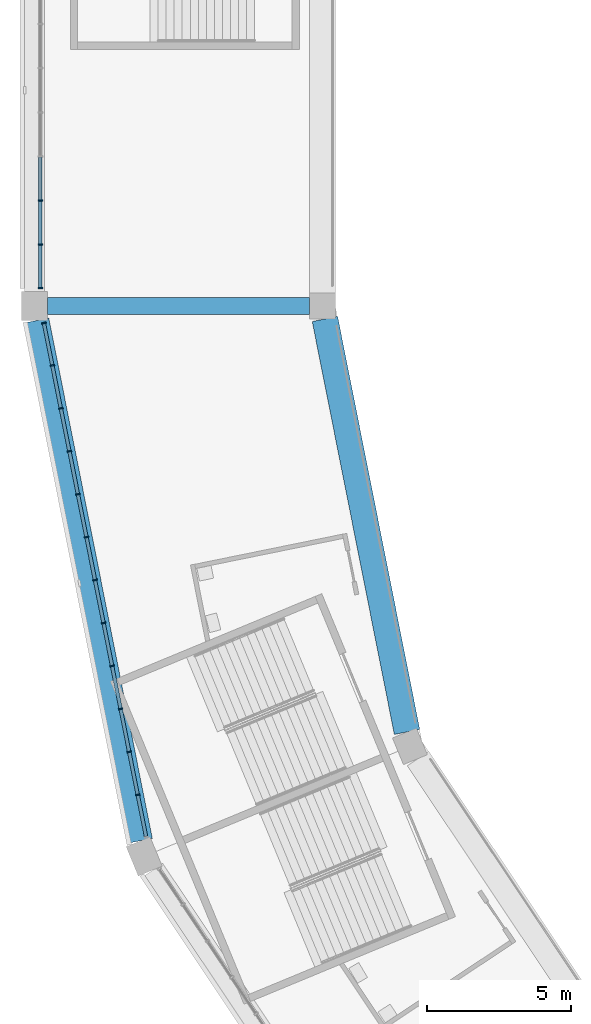
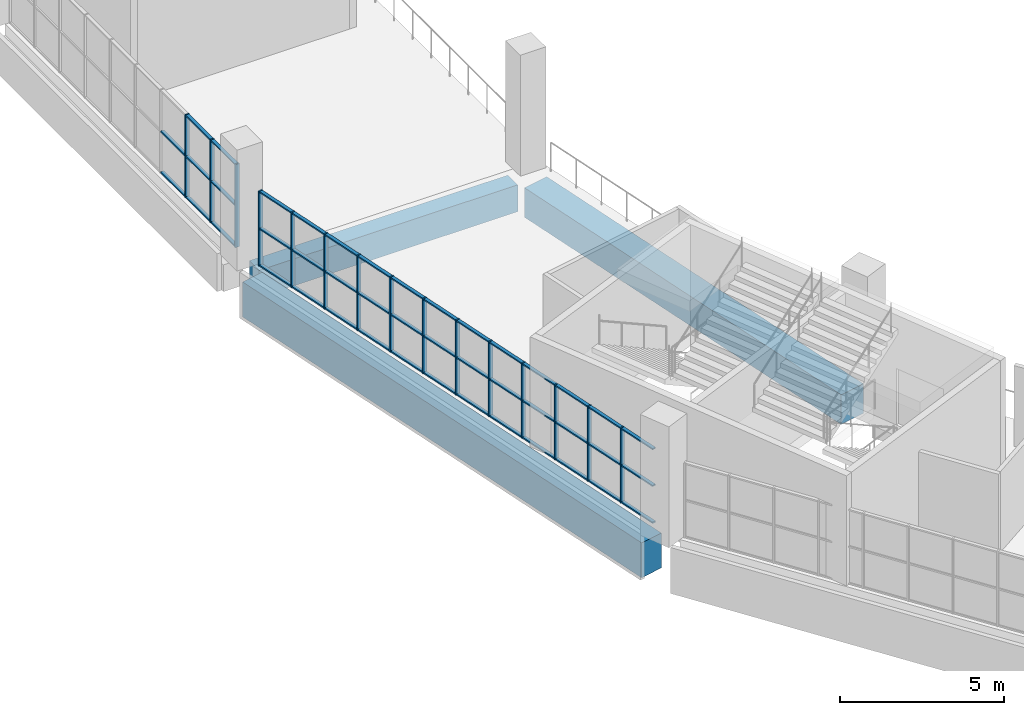
# One storey, part 7 of 177: 59 members, 3 beams, 2 elements without a shape of their own.
"""IFC4 building model written with IfcOpenShell, lengths in metres."""

from ifc_helpers import new_model, si_unit, direction, frame, origin, origin_2d, place, context, subcontext, project, spatial, rectangle, extrude, material, material_profile, profile_set, type_object, element, aggregate, save


model = new_model("IFC4")

# Units and contexts
model_context = context("Model", 3, precision=1e-05, world=origin(), true_north=direction((0.0, 1.0)))
body_context = subcontext(model_context, "Body", "Model", "MODEL_VIEW")
ifc_project = project(units=[si_unit("LENGTHUNIT", "METRE"), si_unit("AREAUNIT", "SQUARE_METRE"), si_unit("VOLUMEUNIT", "CUBIC_METRE"), si_unit("PLANEANGLEUNIT", "RADIAN"), si_unit("MASSUNIT", "GRAM", prefix="KILO")], contexts=[model_context])

# Site, building, storey
site_placement = place(None, origin())
site = spatial("IfcSite", under=ifc_project, at=site_placement, CompositionType="ELEMENT")
building_placement = place(site_placement, origin())
building = spatial("IfcBuilding", under=site, at=building_placement, Name="Ogive Plaza Stadium", CompositionType="ELEMENT")
storey_placement = place(building_placement, frame((0.0, 0.0, 18.0)))
storey = spatial("IfcBuildingStorey", under=building, at=storey_placement, Name="L04", CompositionType="ELEMENT", Elevation=18.0)

# Curtain wall, members
ifc_material_1 = material(Name="Bronze-anodised aluminium with laminated glass", Category="aluminium")
curtain_wall_type = type_object("IfcCurtainWallType", Name="Lancet curtain wall", PredefinedType="NOTDEFINED", material=ifc_material_1)
curtain_wall_1_placement = place(storey_placement, origin())
curtain_wall_1 = element("IfcCurtainWall", 1, at=curtain_wall_1_placement, inside=storey, type_object=curtain_wall_type, Name="CURTAIN WALL B20 L04", PredefinedType="NOTDEFINED")
ifc_material_2 = material(Name="Bronze-anodised aluminium", Category="aluminium")
ifc_material_profile_1 = material_profile(ifc_material_2, rectangle(XDim=0.14990234375, YDim=0.050048828125, at=origin_2d()), Name="AL 150x50")
ifc_profile_set_1 = profile_set([ifc_material_profile_1], Name="Bronze-anodised aluminium")
member_type_1 = type_object("IfcMemberType", Name="Curtain wall mullion 50x150", PredefinedType="MULLION", material=ifc_profile_set_1)
member_1_placement = place(storey_placement, frame((-80.415771484375, -69.49365234375, 0.0), z_axis=(0.0, 0.0, 1.0), x_axis=(-0.9807852804, -0.195090322033, 0.0)))
member_1 = element("IfcMember", 2, at=member_1_placement, type_object=member_type_1, Name="CW-B20-L04 mullion 2", PredefinedType="MULLION", context=body_context, shape_type="SweptSolid", body=[
    extrude(rectangle(XDim=0.14990234375, YDim=0.050048828125, at=origin_2d()), origin(), (0.0, 0.0, 1.0), 2.7900390625),
])
member_2_placement = place(storey_placement, frame((-80.712890625, -68.00048828125, 0.0), z_axis=(0.0, 0.0, 1.0), x_axis=(-0.9807852804, -0.195090322033, 0.0)))
member_2 = element("IfcMember", 3, at=member_2_placement, type_object=member_type_1, Name="CW-B20-L04 mullion 3", PredefinedType="MULLION", context=body_context, shape_type="SweptSolid", body=[
    extrude(rectangle(XDim=0.14990234375, YDim=0.050048828125, at=origin_2d()), origin(), (0.0, 0.0, 1.0), 2.7900390625),
])
member_3_placement = place(storey_placement, frame((-81.009765625, -66.50732421875, 0.0), z_axis=(0.0, 0.0, 1.0), x_axis=(-0.9807852804, -0.195090322033, 0.0)))
member_3 = element("IfcMember", 4, at=member_3_placement, type_object=member_type_1, Name="CW-B20-L04 mullion 4", PredefinedType="MULLION", context=body_context, shape_type="SweptSolid", body=[
    extrude(rectangle(XDim=0.14990234375, YDim=0.050048828125, at=origin_2d()), origin(), (0.0, 0.0, 1.0), 2.7900390625),
])
member_4_placement = place(storey_placement, frame((-81.306884765625, -65.01416015625, 0.0), z_axis=(0.0, 0.0, 1.0), x_axis=(-0.9807852804, -0.195090322033, 0.0)))
member_4 = element("IfcMember", 5, at=member_4_placement, type_object=member_type_1, Name="CW-B20-L04 mullion 5", PredefinedType="MULLION", context=body_context, shape_type="SweptSolid", body=[
    extrude(rectangle(XDim=0.14990234375, YDim=0.050048828125, at=origin_2d()), origin(), (0.0, 0.0, 1.0), 2.7900390625),
])
member_5_placement = place(storey_placement, frame((-81.603759765625, -63.521240234375, 0.0), z_axis=(0.0, 0.0, 1.0), x_axis=(-0.9807852804, -0.195090322033, 0.0)))
member_5 = element("IfcMember", 6, at=member_5_placement, type_object=member_type_1, Name="CW-B20-L04 mullion 6", PredefinedType="MULLION", context=body_context, shape_type="SweptSolid", body=[
    extrude(rectangle(XDim=0.14990234375, YDim=0.050048828125, at=origin_2d()), origin(), (0.0, 0.0, 1.0), 2.7900390625),
])
member_6_placement = place(storey_placement, frame((-81.90087890625, -62.028076171875, 0.0), z_axis=(0.0, 0.0, 1.0), x_axis=(-0.9807852804, -0.195090322033, 0.0)))
member_6 = element("IfcMember", 7, at=member_6_placement, type_object=member_type_1, Name="CW-B20-L04 mullion 7", PredefinedType="MULLION", context=body_context, shape_type="SweptSolid", body=[
    extrude(rectangle(XDim=0.14990234375, YDim=0.050048828125, at=origin_2d()), origin(), (0.0, 0.0, 1.0), 2.7900390625),
])
member_7_placement = place(storey_placement, frame((-82.19775390625, -60.534912109375, 0.0), z_axis=(0.0, 0.0, 1.0), x_axis=(-0.9807852804, -0.195090322033, 0.0)))
member_7 = element("IfcMember", 8, at=member_7_placement, type_object=member_type_1, Name="CW-B20-L04 mullion 8", PredefinedType="MULLION", context=body_context, shape_type="SweptSolid", body=[
    extrude(rectangle(XDim=0.14990234375, YDim=0.050048828125, at=origin_2d()), origin(), (0.0, 0.0, 1.0), 2.7900390625),
])
member_8_placement = place(storey_placement, frame((-82.494873046875, -59.0419921875, 0.0), z_axis=(0.0, 0.0, 1.0), x_axis=(-0.9807852804, -0.195090322033, 0.0)))
member_8 = element("IfcMember", 9, at=member_8_placement, type_object=member_type_1, Name="CW-B20-L04 mullion 9", PredefinedType="MULLION", context=body_context, shape_type="SweptSolid", body=[
    extrude(rectangle(XDim=0.14990234375, YDim=0.050048828125, at=origin_2d()), origin(), (0.0, 0.0, 1.0), 2.7900390625),
])
member_9_placement = place(storey_placement, frame((-82.791748046875, -57.548828125, 0.0), z_axis=(0.0, 0.0, 1.0), x_axis=(-0.9807852804, -0.195090322033, 0.0)))
member_9 = element("IfcMember", 10, at=member_9_placement, type_object=member_type_1, Name="CW-B20-L04 mullion 10", PredefinedType="MULLION", context=body_context, shape_type="SweptSolid", body=[
    extrude(rectangle(XDim=0.14990234375, YDim=0.050048828125, at=origin_2d()), origin(), (0.0, 0.0, 1.0), 2.7900390625),
])
member_10_placement = place(storey_placement, frame((-83.0888671875, -56.0556640625, 0.0), z_axis=(0.0, 0.0, 1.0), x_axis=(-0.9807852804, -0.195090322033, 0.0)))
member_10 = element("IfcMember", 11, at=member_10_placement, type_object=member_type_1, Name="CW-B20-L04 mullion 11", PredefinedType="MULLION", context=body_context, shape_type="SweptSolid", body=[
    extrude(rectangle(XDim=0.14990234375, YDim=0.050048828125, at=origin_2d()), origin(), (0.0, 0.0, 1.0), 2.7900390625),
])
member_11_placement = place(storey_placement, frame((-83.3857421875, -54.5625, 0.0), z_axis=(0.0, 0.0, 1.0), x_axis=(-0.9807852804, -0.195090322033, 0.0)))
member_11 = element("IfcMember", 12, at=member_11_placement, type_object=member_type_1, Name="CW-B20-L04 mullion 12", PredefinedType="MULLION", context=body_context, shape_type="SweptSolid", body=[
    extrude(rectangle(XDim=0.14990234375, YDim=0.050048828125, at=origin_2d()), origin(), (0.0, 0.0, 1.0), 2.7900390625),
])
member_12_placement = place(storey_placement, frame((-83.677978515625, -53.093994140625, 0.0), z_axis=(0.0, 0.0, 1.0), x_axis=(-0.9807852804, -0.195090322033, 0.0)))
member_12 = element("IfcMember", 13, at=member_12_placement, type_object=member_type_1, Name="CW-B20-L04 mullion 13", PredefinedType="MULLION", context=body_context, shape_type="SweptSolid", body=[
    extrude(rectangle(XDim=0.14990234375, YDim=0.050048828125, at=origin_2d()), origin(), (0.0, 0.0, 1.0), 2.7900390625),
])

curtain_wall_2_placement = place(storey_placement, origin())
curtain_wall_2 = element("IfcCurtainWall", 14, at=curtain_wall_2_placement, inside=storey, type_object=curtain_wall_type, Name="CURTAIN WALL B21 L04", PredefinedType="NOTDEFINED")
member_13_placement = place(storey_placement, frame((-83.800048828125, -51.875, 0.0), z_axis=(0.0, 0.0, 1.0), x_axis=(-1.0, 0.0, 0.0)))
member_13 = element("IfcMember", 15, at=member_13_placement, type_object=member_type_1, Name="CW-B21-L04 mullion 1", PredefinedType="MULLION", context=body_context, shape_type="SweptSolid", body=[
    extrude(rectangle(XDim=0.14990234375, YDim=0.050048828125, at=origin_2d()), origin(), (0.0, 0.0, 1.0), 3.090087890625),
])
member_14_placement = place(storey_placement, frame((-83.800048828125, -50.36669921875, 0.0), z_axis=(0.0, 0.0, 1.0), x_axis=(-1.0, 0.0, 0.0)))
member_14 = element("IfcMember", 16, at=member_14_placement, type_object=member_type_1, Name="CW-B21-L04 mullion 2", PredefinedType="MULLION", context=body_context, shape_type="SweptSolid", body=[
    extrude(rectangle(XDim=0.14990234375, YDim=0.050048828125, at=origin_2d()), origin(), (0.0, 0.0, 1.0), 3.090087890625),
])
member_15_placement = place(storey_placement, frame((-83.800048828125, -48.833251953125, 0.0), z_axis=(0.0, 0.0, 1.0), x_axis=(-1.0, 0.0, 0.0)))
member_15 = element("IfcMember", 17, at=member_15_placement, type_object=member_type_1, Name="CW-B21-L04 mullion 3", PredefinedType="MULLION", context=body_context, shape_type="SweptSolid", body=[
    extrude(rectangle(XDim=0.14990234375, YDim=0.050048828125, at=origin_2d()), origin(), (0.0, 0.0, 1.0), 3.090087890625),
])

# Member
ifc_material_3 = material(Name="Bronze-anodised aluminium", Category="aluminium")
ifc_material_profile_2 = material_profile(ifc_material_3, rectangle(XDim=0.1201171875, YDim=0.050048828125, at=origin_2d()), Name="AL 120x50")
ifc_profile_set_2 = profile_set([ifc_material_profile_2], Name="Bronze-anodised aluminium")
member_type_2 = type_object("IfcMemberType", Name="Curtain wall transom 50x120", PredefinedType="USERDEFINED", material=ifc_profile_set_2)
member_16_placement = place(storey_placement, frame((-80.128662109375, -70.9375, 0.02490234375), z_axis=(-0.195012996379, 0.98080065826, 0.0), x_axis=(-0.98080065826, -0.195012996379, 0.0)))
member_16 = element("IfcMember", 18, at=member_16_placement, type_object=member_type_2, Name="CW-B20-L04 transom 1.1", ObjectType="TRANSOM", PredefinedType="USERDEFINED", context=body_context, shape_type="SweptSolid", body=[
    extrude(rectangle(XDim=0.1201171875, YDim=0.050048828125, at=origin_2d()), origin(), (0.0, 0.0, 1.0), 1.447265625),
])

member_17_placement = place(storey_placement, frame((-80.128662109375, -70.9375, 1.39501953125), z_axis=(-0.195012996379, 0.98080065826, 0.0), x_axis=(-0.98080065826, -0.195012996379, 0.0)))
member_17 = element("IfcMember", 19, at=member_17_placement, type_object=member_type_2, Name="CW-B20-L04 transom 1.2", ObjectType="TRANSOM", PredefinedType="USERDEFINED", context=body_context, shape_type="SweptSolid", body=[
    extrude(rectangle(XDim=0.1201171875, YDim=0.050048828125, at=origin_2d()), origin(), (0.0, 0.0, 1.0), 1.447265625),
])

member_18_placement = place(storey_placement, frame((-80.128662109375, -70.9375, 2.764892578125), z_axis=(-0.195012996379, 0.98080065826, 0.0), x_axis=(-0.98080065826, -0.195012996379, 0.0)))
member_18 = element("IfcMember", 20, at=member_18_placement, type_object=member_type_2, Name="CW-B20-L04 transom 1.3", ObjectType="TRANSOM", PredefinedType="USERDEFINED", context=body_context, shape_type="SweptSolid", body=[
    extrude(rectangle(XDim=0.1201171875, YDim=0.050048828125, at=origin_2d()), origin(), (0.0, 0.0, 1.0), 1.447265625),
])

member_19_placement = place(storey_placement, frame((-80.420654296875, -69.468994140625, 0.02490234375), z_axis=(-0.195159440417, 0.980771529367, 0.0), x_axis=(-0.980771529367, -0.195159440417, 0.0)))
member_19 = element("IfcMember", 21, at=member_19_placement, type_object=member_type_2, Name="CW-B20-L04 transom 2.1", ObjectType="TRANSOM", PredefinedType="USERDEFINED", context=body_context, shape_type="SweptSolid", body=[
    extrude(rectangle(XDim=0.1201171875, YDim=0.050048828125, at=origin_2d()), origin(), (0.0, 0.0, 1.0), 1.472412109375),
])

member_20_placement = place(storey_placement, frame((-80.420654296875, -69.468994140625, 1.39501953125), z_axis=(-0.195159440417, 0.980771529367, 0.0), x_axis=(-0.980771529367, -0.195159440417, 0.0)))
member_20 = element("IfcMember", 22, at=member_20_placement, type_object=member_type_2, Name="CW-B20-L04 transom 2.2", ObjectType="TRANSOM", PredefinedType="USERDEFINED", context=body_context, shape_type="SweptSolid", body=[
    extrude(rectangle(XDim=0.1201171875, YDim=0.050048828125, at=origin_2d()), origin(), (0.0, 0.0, 1.0), 1.472412109375),
])

member_21_placement = place(storey_placement, frame((-80.420654296875, -69.468994140625, 2.764892578125), z_axis=(-0.195159440417, 0.980771529367, 0.0), x_axis=(-0.980771529367, -0.195159440417, 0.0)))
member_21 = element("IfcMember", 23, at=member_21_placement, type_object=member_type_2, Name="CW-B20-L04 transom 2.3", ObjectType="TRANSOM", PredefinedType="USERDEFINED", context=body_context, shape_type="SweptSolid", body=[
    extrude(rectangle(XDim=0.1201171875, YDim=0.050048828125, at=origin_2d()), origin(), (0.0, 0.0, 1.0), 1.472412109375),
])

member_22_placement = place(storey_placement, frame((-80.7177734375, -67.975830078125, 0.02490234375), z_axis=(-0.19503165555, 0.980796948065, 0.0), x_axis=(-0.980796948065, -0.19503165555, 0.0)))
member_22 = element("IfcMember", 24, at=member_22_placement, type_object=member_type_2, Name="CW-B20-L04 transom 3.1", ObjectType="TRANSOM", PredefinedType="USERDEFINED", context=body_context, shape_type="SweptSolid", body=[
    extrude(rectangle(XDim=0.1201171875, YDim=0.050048828125, at=origin_2d()), origin(), (0.0, 0.0, 1.0), 1.47216796875),
])

member_23_placement = place(storey_placement, frame((-80.7177734375, -67.975830078125, 1.39501953125), z_axis=(-0.19503165555, 0.980796948065, 0.0), x_axis=(-0.980796948065, -0.19503165555, 0.0)))
member_23 = element("IfcMember", 25, at=member_23_placement, type_object=member_type_2, Name="CW-B20-L04 transom 3.2", ObjectType="TRANSOM", PredefinedType="USERDEFINED", context=body_context, shape_type="SweptSolid", body=[
    extrude(rectangle(XDim=0.1201171875, YDim=0.050048828125, at=origin_2d()), origin(), (0.0, 0.0, 1.0), 1.47216796875),
])

member_24_placement = place(storey_placement, frame((-80.7177734375, -67.975830078125, 2.764892578125), z_axis=(-0.19503165555, 0.980796948065, 0.0), x_axis=(-0.980796948065, -0.19503165555, 0.0)))
member_24 = element("IfcMember", 26, at=member_24_placement, type_object=member_type_2, Name="CW-B20-L04 transom 3.3", ObjectType="TRANSOM", PredefinedType="USERDEFINED", context=body_context, shape_type="SweptSolid", body=[
    extrude(rectangle(XDim=0.1201171875, YDim=0.050048828125, at=origin_2d()), origin(), (0.0, 0.0, 1.0), 1.47216796875),
])

member_25_placement = place(storey_placement, frame((-81.0146484375, -66.48291015625, 0.02490234375), z_axis=(-0.195159440417, 0.980771529367, 0.0), x_axis=(-0.980771529367, -0.195159440417, 0.0)))
member_25 = element("IfcMember", 27, at=member_25_placement, type_object=member_type_2, Name="CW-B20-L04 transom 4.1", ObjectType="TRANSOM", PredefinedType="USERDEFINED", context=body_context, shape_type="SweptSolid", body=[
    extrude(rectangle(XDim=0.1201171875, YDim=0.050048828125, at=origin_2d()), origin(), (0.0, 0.0, 1.0), 1.472412109375),
])

member_26_placement = place(storey_placement, frame((-81.0146484375, -66.48291015625, 1.39501953125), z_axis=(-0.195159440417, 0.980771529367, 0.0), x_axis=(-0.980771529367, -0.195159440417, 0.0)))
member_26 = element("IfcMember", 28, at=member_26_placement, type_object=member_type_2, Name="CW-B20-L04 transom 4.2", ObjectType="TRANSOM", PredefinedType="USERDEFINED", context=body_context, shape_type="SweptSolid", body=[
    extrude(rectangle(XDim=0.1201171875, YDim=0.050048828125, at=origin_2d()), origin(), (0.0, 0.0, 1.0), 1.472412109375),
])

member_27_placement = place(storey_placement, frame((-81.0146484375, -66.48291015625, 2.764892578125), z_axis=(-0.195159440417, 0.980771529367, 0.0), x_axis=(-0.980771529367, -0.195159440417, 0.0)))
member_27 = element("IfcMember", 29, at=member_27_placement, type_object=member_type_2, Name="CW-B20-L04 transom 4.3", ObjectType="TRANSOM", PredefinedType="USERDEFINED", context=body_context, shape_type="SweptSolid", body=[
    extrude(rectangle(XDim=0.1201171875, YDim=0.050048828125, at=origin_2d()), origin(), (0.0, 0.0, 1.0), 1.472412109375),
])

member_28_placement = place(storey_placement, frame((-81.311767578125, -64.98974609375, 0.02490234375), z_axis=(-0.194999937042, 0.980803254763, 0.0), x_axis=(-0.980803254763, -0.194999937042, 0.0)))
member_28 = element("IfcMember", 30, at=member_28_placement, type_object=member_type_2, Name="CW-B20-L04 transom 5.1", ObjectType="TRANSOM", PredefinedType="USERDEFINED", context=body_context, shape_type="SweptSolid", body=[
    extrude(rectangle(XDim=0.1201171875, YDim=0.050048828125, at=origin_2d()), origin(), (0.0, 0.0, 1.0), 1.472412109375),
])

member_29_placement = place(storey_placement, frame((-81.311767578125, -64.98974609375, 1.39501953125), z_axis=(-0.194999937042, 0.980803254763, 0.0), x_axis=(-0.980803254763, -0.194999937042, 0.0)))
member_29 = element("IfcMember", 31, at=member_29_placement, type_object=member_type_2, Name="CW-B20-L04 transom 5.2", ObjectType="TRANSOM", PredefinedType="USERDEFINED", context=body_context, shape_type="SweptSolid", body=[
    extrude(rectangle(XDim=0.1201171875, YDim=0.050048828125, at=origin_2d()), origin(), (0.0, 0.0, 1.0), 1.472412109375),
])

member_30_placement = place(storey_placement, frame((-81.311767578125, -64.98974609375, 2.764892578125), z_axis=(-0.194999937042, 0.980803254763, 0.0), x_axis=(-0.980803254763, -0.194999937042, 0.0)))
member_30 = element("IfcMember", 32, at=member_30_placement, type_object=member_type_2, Name="CW-B20-L04 transom 5.3", ObjectType="TRANSOM", PredefinedType="USERDEFINED", context=body_context, shape_type="SweptSolid", body=[
    extrude(rectangle(XDim=0.1201171875, YDim=0.050048828125, at=origin_2d()), origin(), (0.0, 0.0, 1.0), 1.472412109375),
])

member_31_placement = place(storey_placement, frame((-81.608642578125, -63.49658203125, 0.02490234375), z_axis=(-0.195159440417, 0.980771529367, 0.0), x_axis=(-0.980771529367, -0.195159440417, 0.0)))
member_31 = element("IfcMember", 33, at=member_31_placement, type_object=member_type_2, Name="CW-B20-L04 transom 6.1", ObjectType="TRANSOM", PredefinedType="USERDEFINED", context=body_context, shape_type="SweptSolid", body=[
    extrude(rectangle(XDim=0.1201171875, YDim=0.050048828125, at=origin_2d()), origin(), (0.0, 0.0, 1.0), 1.472412109375),
])

member_32_placement = place(storey_placement, frame((-81.608642578125, -63.49658203125, 1.39501953125), z_axis=(-0.195159440417, 0.980771529367, 0.0), x_axis=(-0.980771529367, -0.195159440417, 0.0)))
member_32 = element("IfcMember", 34, at=member_32_placement, type_object=member_type_2, Name="CW-B20-L04 transom 6.2", ObjectType="TRANSOM", PredefinedType="USERDEFINED", context=body_context, shape_type="SweptSolid", body=[
    extrude(rectangle(XDim=0.1201171875, YDim=0.050048828125, at=origin_2d()), origin(), (0.0, 0.0, 1.0), 1.472412109375),
])

member_33_placement = place(storey_placement, frame((-81.608642578125, -63.49658203125, 2.764892578125), z_axis=(-0.195159440417, 0.980771529367, 0.0), x_axis=(-0.980771529367, -0.195159440417, 0.0)))
member_33 = element("IfcMember", 35, at=member_33_placement, type_object=member_type_2, Name="CW-B20-L04 transom 6.3", ObjectType="TRANSOM", PredefinedType="USERDEFINED", context=body_context, shape_type="SweptSolid", body=[
    extrude(rectangle(XDim=0.1201171875, YDim=0.050048828125, at=origin_2d()), origin(), (0.0, 0.0, 1.0), 1.472412109375),
])

member_34_placement = place(storey_placement, frame((-81.90576171875, -62.003662109375, 0.02490234375), z_axis=(-0.194999937042, 0.980803254763, 0.0), x_axis=(-0.980803254763, -0.194999937042, 0.0)))
member_34 = element("IfcMember", 36, at=member_34_placement, type_object=member_type_2, Name="CW-B20-L04 transom 7.1", ObjectType="TRANSOM", PredefinedType="USERDEFINED", context=body_context, shape_type="SweptSolid", body=[
    extrude(rectangle(XDim=0.1201171875, YDim=0.050048828125, at=origin_2d()), origin(), (0.0, 0.0, 1.0), 1.472412109375),
])

member_35_placement = place(storey_placement, frame((-81.90576171875, -62.003662109375, 1.39501953125), z_axis=(-0.194999937042, 0.980803254763, 0.0), x_axis=(-0.980803254763, -0.194999937042, 0.0)))
member_35 = element("IfcMember", 37, at=member_35_placement, type_object=member_type_2, Name="CW-B20-L04 transom 7.2", ObjectType="TRANSOM", PredefinedType="USERDEFINED", context=body_context, shape_type="SweptSolid", body=[
    extrude(rectangle(XDim=0.1201171875, YDim=0.050048828125, at=origin_2d()), origin(), (0.0, 0.0, 1.0), 1.472412109375),
])

member_36_placement = place(storey_placement, frame((-81.90576171875, -62.003662109375, 2.764892578125), z_axis=(-0.194999937042, 0.980803254763, 0.0), x_axis=(-0.980803254763, -0.194999937042, 0.0)))
member_36 = element("IfcMember", 38, at=member_36_placement, type_object=member_type_2, Name="CW-B20-L04 transom 7.3", ObjectType="TRANSOM", PredefinedType="USERDEFINED", context=body_context, shape_type="SweptSolid", body=[
    extrude(rectangle(XDim=0.1201171875, YDim=0.050048828125, at=origin_2d()), origin(), (0.0, 0.0, 1.0), 1.472412109375),
])

member_37_placement = place(storey_placement, frame((-82.20263671875, -60.510498046875, 0.02490234375), z_axis=(-0.195159440417, 0.980771529367, 0.0), x_axis=(-0.980771529367, -0.195159440417, 0.0)))
member_37 = element("IfcMember", 39, at=member_37_placement, type_object=member_type_2, Name="CW-B20-L04 transom 8.1", ObjectType="TRANSOM", PredefinedType="USERDEFINED", context=body_context, shape_type="SweptSolid", body=[
    extrude(rectangle(XDim=0.1201171875, YDim=0.050048828125, at=origin_2d()), origin(), (0.0, 0.0, 1.0), 1.472412109375),
])

member_38_placement = place(storey_placement, frame((-82.20263671875, -60.510498046875, 1.39501953125), z_axis=(-0.195159440417, 0.980771529367, 0.0), x_axis=(-0.980771529367, -0.195159440417, 0.0)))
member_38 = element("IfcMember", 40, at=member_38_placement, type_object=member_type_2, Name="CW-B20-L04 transom 8.2", ObjectType="TRANSOM", PredefinedType="USERDEFINED", context=body_context, shape_type="SweptSolid", body=[
    extrude(rectangle(XDim=0.1201171875, YDim=0.050048828125, at=origin_2d()), origin(), (0.0, 0.0, 1.0), 1.472412109375),
])

member_39_placement = place(storey_placement, frame((-82.20263671875, -60.510498046875, 2.764892578125), z_axis=(-0.195159440417, 0.980771529367, 0.0), x_axis=(-0.980771529367, -0.195159440417, 0.0)))
member_39 = element("IfcMember", 41, at=member_39_placement, type_object=member_type_2, Name="CW-B20-L04 transom 8.3", ObjectType="TRANSOM", PredefinedType="USERDEFINED", context=body_context, shape_type="SweptSolid", body=[
    extrude(rectangle(XDim=0.1201171875, YDim=0.050048828125, at=origin_2d()), origin(), (0.0, 0.0, 1.0), 1.472412109375),
])

member_40_placement = place(storey_placement, frame((-82.499755859375, -59.017333984375, 0.02490234375), z_axis=(-0.194999937042, 0.980803254763, 0.0), x_axis=(-0.980803254763, -0.194999937042, 0.0)))
member_40 = element("IfcMember", 42, at=member_40_placement, type_object=member_type_2, Name="CW-B20-L04 transom 9.1", ObjectType="TRANSOM", PredefinedType="USERDEFINED", context=body_context, shape_type="SweptSolid", body=[
    extrude(rectangle(XDim=0.1201171875, YDim=0.050048828125, at=origin_2d()), origin(), (0.0, 0.0, 1.0), 1.472412109375),
])

member_41_placement = place(storey_placement, frame((-82.499755859375, -59.017333984375, 1.39501953125), z_axis=(-0.194999937042, 0.980803254763, 0.0), x_axis=(-0.980803254763, -0.194999937042, 0.0)))
member_41 = element("IfcMember", 43, at=member_41_placement, type_object=member_type_2, Name="CW-B20-L04 transom 9.2", ObjectType="TRANSOM", PredefinedType="USERDEFINED", context=body_context, shape_type="SweptSolid", body=[
    extrude(rectangle(XDim=0.1201171875, YDim=0.050048828125, at=origin_2d()), origin(), (0.0, 0.0, 1.0), 1.472412109375),
])

member_42_placement = place(storey_placement, frame((-82.499755859375, -59.017333984375, 2.764892578125), z_axis=(-0.194999937042, 0.980803254763, 0.0), x_axis=(-0.980803254763, -0.194999937042, 0.0)))
member_42 = element("IfcMember", 44, at=member_42_placement, type_object=member_type_2, Name="CW-B20-L04 transom 9.3", ObjectType="TRANSOM", PredefinedType="USERDEFINED", context=body_context, shape_type="SweptSolid", body=[
    extrude(rectangle(XDim=0.1201171875, YDim=0.050048828125, at=origin_2d()), origin(), (0.0, 0.0, 1.0), 1.472412109375),
])

member_43_placement = place(storey_placement, frame((-82.796630859375, -57.524169921875, 0.02490234375), z_axis=(-0.195191182816, 0.980765212551, 0.0), x_axis=(-0.980765212551, -0.195191182816, 0.0)))
member_43 = element("IfcMember", 45, at=member_43_placement, type_object=member_type_2, Name="CW-B20-L04 transom 10.1", ObjectType="TRANSOM", PredefinedType="USERDEFINED", context=body_context, shape_type="SweptSolid", body=[
    extrude(rectangle(XDim=0.1201171875, YDim=0.050048828125, at=origin_2d()), origin(), (0.0, 0.0, 1.0), 1.47216796875),
])

member_44_placement = place(storey_placement, frame((-82.796630859375, -57.524169921875, 1.39501953125), z_axis=(-0.195191182816, 0.980765212551, 0.0), x_axis=(-0.980765212551, -0.195191182816, 0.0)))
member_44 = element("IfcMember", 46, at=member_44_placement, type_object=member_type_2, Name="CW-B20-L04 transom 10.2", ObjectType="TRANSOM", PredefinedType="USERDEFINED", context=body_context, shape_type="SweptSolid", body=[
    extrude(rectangle(XDim=0.1201171875, YDim=0.050048828125, at=origin_2d()), origin(), (0.0, 0.0, 1.0), 1.47216796875),
])

member_45_placement = place(storey_placement, frame((-82.796630859375, -57.524169921875, 2.764892578125), z_axis=(-0.195191182816, 0.980765212551, 0.0), x_axis=(-0.980765212551, -0.195191182816, 0.0)))
member_45 = element("IfcMember", 47, at=member_45_placement, type_object=member_type_2, Name="CW-B20-L04 transom 10.3", ObjectType="TRANSOM", PredefinedType="USERDEFINED", context=body_context, shape_type="SweptSolid", body=[
    extrude(rectangle(XDim=0.1201171875, YDim=0.050048828125, at=origin_2d()), origin(), (0.0, 0.0, 1.0), 1.47216796875),
])

member_46_placement = place(storey_placement, frame((-83.09375, -56.03125, 0.02490234375), z_axis=(-0.194999937042, 0.980803254763, 0.0), x_axis=(-0.980803254763, -0.194999937042, 0.0)))
member_46 = element("IfcMember", 48, at=member_46_placement, type_object=member_type_2, Name="CW-B20-L04 transom 11.1", ObjectType="TRANSOM", PredefinedType="USERDEFINED", context=body_context, shape_type="SweptSolid", body=[
    extrude(rectangle(XDim=0.1201171875, YDim=0.050048828125, at=origin_2d()), origin(), (0.0, 0.0, 1.0), 1.472412109375),
])

member_47_placement = place(storey_placement, frame((-83.09375, -56.03125, 1.39501953125), z_axis=(-0.194999937042, 0.980803254763, 0.0), x_axis=(-0.980803254763, -0.194999937042, 0.0)))
member_47 = element("IfcMember", 49, at=member_47_placement, type_object=member_type_2, Name="CW-B20-L04 transom 11.2", ObjectType="TRANSOM", PredefinedType="USERDEFINED", context=body_context, shape_type="SweptSolid", body=[
    extrude(rectangle(XDim=0.1201171875, YDim=0.050048828125, at=origin_2d()), origin(), (0.0, 0.0, 1.0), 1.472412109375),
])

member_48_placement = place(storey_placement, frame((-83.09375, -56.03125, 2.764892578125), z_axis=(-0.194999937042, 0.980803254763, 0.0), x_axis=(-0.980803254763, -0.194999937042, 0.0)))
member_48 = element("IfcMember", 50, at=member_48_placement, type_object=member_type_2, Name="CW-B20-L04 transom 11.3", ObjectType="TRANSOM", PredefinedType="USERDEFINED", context=body_context, shape_type="SweptSolid", body=[
    extrude(rectangle(XDim=0.1201171875, YDim=0.050048828125, at=origin_2d()), origin(), (0.0, 0.0, 1.0), 1.472412109375),
])

member_49_placement = place(storey_placement, frame((-83.390625, -54.5380859375, 0.02490234375), z_axis=(-0.195175269199, 0.980768379534, 0.0), x_axis=(-0.980768379534, -0.195175269199, 0.0)))
member_49 = element("IfcMember", 51, at=member_49_placement, type_object=member_type_2, Name="CW-B20-L04 transom 12.1", ObjectType="TRANSOM", PredefinedType="USERDEFINED", context=body_context, shape_type="SweptSolid", body=[
    extrude(rectangle(XDim=0.1201171875, YDim=0.050048828125, at=origin_2d()), origin(), (0.0, 0.0, 1.0), 1.447265625),
])

member_50_placement = place(storey_placement, frame((-83.390625, -54.5380859375, 1.39501953125), z_axis=(-0.195175269199, 0.980768379534, 0.0), x_axis=(-0.980768379534, -0.195175269199, 0.0)))
member_50 = element("IfcMember", 52, at=member_50_placement, type_object=member_type_2, Name="CW-B20-L04 transom 12.2", ObjectType="TRANSOM", PredefinedType="USERDEFINED", context=body_context, shape_type="SweptSolid", body=[
    extrude(rectangle(XDim=0.1201171875, YDim=0.050048828125, at=origin_2d()), origin(), (0.0, 0.0, 1.0), 1.447265625),
])

member_51_placement = place(storey_placement, frame((-83.390625, -54.5380859375, 2.764892578125), z_axis=(-0.195175269199, 0.980768379534, 0.0), x_axis=(-0.980768379534, -0.195175269199, 0.0)))
member_51 = element("IfcMember", 53, at=member_51_placement, type_object=member_type_2, Name="CW-B20-L04 transom 12.3", ObjectType="TRANSOM", PredefinedType="USERDEFINED", context=body_context, shape_type="SweptSolid", body=[
    extrude(rectangle(XDim=0.1201171875, YDim=0.050048828125, at=origin_2d()), origin(), (0.0, 0.0, 1.0), 1.447265625),
])

aggregate(curtain_wall_1, [member_1, member_2, member_3, member_4, member_5, member_6, member_7, member_8, member_9, member_10, member_11, member_12, member_16, member_17, member_18, member_19, member_20, member_21, member_22, member_23, member_24, member_25, member_26, member_27, member_28, member_29, member_30, member_31, member_32, member_33, member_34, member_35, member_36, member_37, member_38, member_39, member_40, member_41, member_42, member_43, member_44, member_45, member_46, member_47, member_48, member_49, member_50, member_51])

member_52_placement = place(storey_placement, frame((-83.800048828125, -51.85009765625, 0.02490234375), z_axis=(0.0, 1.0, 0.0), x_axis=(-1.0, 0.0, 0.0)))
member_52 = element("IfcMember", 54, at=member_52_placement, type_object=member_type_2, Name="CW-B21-L04 transom 1.1", ObjectType="TRANSOM", PredefinedType="USERDEFINED", context=body_context, shape_type="SweptSolid", body=[
    extrude(rectangle(XDim=0.1201171875, YDim=0.050048828125, at=origin_2d()), origin(), (0.0, 0.0, 1.0), 1.45849609375),
])

member_53_placement = place(storey_placement, frame((-83.800048828125, -51.85009765625, 1.544921875), z_axis=(0.0, 1.0, 0.0), x_axis=(-1.0, 0.0, 0.0)))
member_53 = element("IfcMember", 55, at=member_53_placement, type_object=member_type_2, Name="CW-B21-L04 transom 1.2", ObjectType="TRANSOM", PredefinedType="USERDEFINED", context=body_context, shape_type="SweptSolid", body=[
    extrude(rectangle(XDim=0.1201171875, YDim=0.050048828125, at=origin_2d()), origin(), (0.0, 0.0, 1.0), 1.45849609375),
])

member_54_placement = place(storey_placement, frame((-83.800048828125, -51.85009765625, 3.06494140625), z_axis=(0.0, 1.0, 0.0), x_axis=(-1.0, 0.0, 0.0)))
member_54 = element("IfcMember", 56, at=member_54_placement, type_object=member_type_2, Name="CW-B21-L04 transom 1.3", ObjectType="TRANSOM", PredefinedType="USERDEFINED", context=body_context, shape_type="SweptSolid", body=[
    extrude(rectangle(XDim=0.1201171875, YDim=0.050048828125, at=origin_2d()), origin(), (0.0, 0.0, 1.0), 1.45849609375),
])

member_55_placement = place(storey_placement, frame((-83.800048828125, -50.341552734375, 0.02490234375), z_axis=(0.0, 1.0, 0.0), x_axis=(-1.0, 0.0, 0.0)))
member_55 = element("IfcMember", 57, at=member_55_placement, type_object=member_type_2, Name="CW-B21-L04 transom 2.1", ObjectType="TRANSOM", PredefinedType="USERDEFINED", context=body_context, shape_type="SweptSolid", body=[
    extrude(rectangle(XDim=0.1201171875, YDim=0.050048828125, at=origin_2d()), origin(), (0.0, 0.0, 1.0), 1.483154296875),
])

member_56_placement = place(storey_placement, frame((-83.800048828125, -50.341552734375, 1.544921875), z_axis=(0.0, 1.0, 0.0), x_axis=(-1.0, 0.0, 0.0)))
member_56 = element("IfcMember", 58, at=member_56_placement, type_object=member_type_2, Name="CW-B21-L04 transom 2.2", ObjectType="TRANSOM", PredefinedType="USERDEFINED", context=body_context, shape_type="SweptSolid", body=[
    extrude(rectangle(XDim=0.1201171875, YDim=0.050048828125, at=origin_2d()), origin(), (0.0, 0.0, 1.0), 1.483154296875),
])

member_57_placement = place(storey_placement, frame((-83.800048828125, -50.341552734375, 3.06494140625), z_axis=(0.0, 1.0, 0.0), x_axis=(-1.0, 0.0, 0.0)))
member_57 = element("IfcMember", 59, at=member_57_placement, type_object=member_type_2, Name="CW-B21-L04 transom 2.3", ObjectType="TRANSOM", PredefinedType="USERDEFINED", context=body_context, shape_type="SweptSolid", body=[
    extrude(rectangle(XDim=0.1201171875, YDim=0.050048828125, at=origin_2d()), origin(), (0.0, 0.0, 1.0), 1.483154296875),
])

member_58_placement = place(storey_placement, frame((-83.800048828125, -48.808349609375, 0.02490234375), z_axis=(0.0, 1.0, 0.0), x_axis=(-1.0, 0.0, 0.0)))
member_58 = element("IfcMember", 60, at=member_58_placement, type_object=member_type_2, Name="CW-B21-L04 transom 3.1", ObjectType="TRANSOM", PredefinedType="USERDEFINED", context=body_context, shape_type="SweptSolid", body=[
    extrude(rectangle(XDim=0.1201171875, YDim=0.050048828125, at=origin_2d()), origin(), (0.0, 0.0, 1.0), 1.4833984375),
])

member_59_placement = place(storey_placement, frame((-83.800048828125, -48.808349609375, 1.544921875), z_axis=(0.0, 1.0, 0.0), x_axis=(-1.0, 0.0, 0.0)))
member_59 = element("IfcMember", 61, at=member_59_placement, type_object=member_type_2, Name="CW-B21-L04 transom 3.2", ObjectType="TRANSOM", PredefinedType="USERDEFINED", context=body_context, shape_type="SweptSolid", body=[
    extrude(rectangle(XDim=0.1201171875, YDim=0.050048828125, at=origin_2d()), origin(), (0.0, 0.0, 1.0), 1.4833984375),
])

aggregate(curtain_wall_2, [member_13, member_14, member_15, member_52, member_53, member_54, member_55, member_56, member_57, member_58, member_59])

# Beams
ifc_material_4 = material(Name="Concrete C40/50", Category="concrete")
ifc_material_profile_3 = material_profile(ifc_material_4, rectangle(XDim=0.60009765625, YDim=1.0, at=origin_2d()), Name="RC 600x1000")
ifc_profile_set_3 = profile_set([ifc_material_profile_3], Name="Concrete C40/50")
beam_type_1 = type_object("IfcBeamType", Name="RC radial beam 600x1000", PredefinedType="BEAM", material=ifc_profile_set_3)
beam_1_placement = place(storey_placement, frame((-74.449951171875, -52.5, -0.909912109375), z_axis=(-1.0, 0.0, 0.0), x_axis=(0.0, -1.0, 0.0)))
element("IfcBeam", 62, at=beam_1_placement, inside=storey, type_object=beam_type_1, Name="Radial beam L04 R21 F4F5", PredefinedType="BEAM", context=body_context, shape_type="SweptSolid", body=[
    extrude(rectangle(XDim=0.60009765625, YDim=1.0, at=origin_2d()), origin(), (0.0, 0.0, 1.0), 9.10009765625),
])
ifc_material_5 = material(Name="Concrete C40/50", Category="concrete")
ifc_material_profile_4 = material_profile(ifc_material_5, rectangle(XDim=0.89990234375, YDim=1.10009765625, at=origin_2d()), Name="RC 900x1100")
ifc_profile_set_4 = profile_set([ifc_material_profile_4], Name="Concrete C40/50")
beam_type_2 = type_object("IfcBeamType", Name="RC ring beam 900x1100", PredefinedType="BEAM", material=ifc_profile_set_4)
beam_2_placement = place(storey_placement, frame((-71.0546875, -67.307373046875, -0.9599609375), z_axis=(-0.195080078519, 0.980787317906, 0.0), x_axis=(-0.980787317906, -0.195080078519, 0.0)))
element("IfcBeam", 63, at=beam_2_placement, inside=storey, type_object=beam_type_2, Name="Ring beam F4 L04 B20", PredefinedType="BEAM", context=body_context, shape_type="SweptSolid", body=[
    extrude(rectangle(XDim=0.89990234375, YDim=1.10009765625, at=origin_2d()), origin(), (0.0, 0.0, 1.0), 14.638671875),
])
ifc_material_6 = material(Name="Concrete C40/50", Category="concrete")
ifc_material_profile_5 = material_profile(ifc_material_6, rectangle(XDim=0.800048828125, YDim=1.300048828125, at=origin_2d()), Name="RC 800x1300")
ifc_profile_set_5 = profile_set([ifc_material_profile_5], Name="Concrete C40/50")
beam_type_3 = type_object("IfcBeamType", Name="RC spandrel beam 800x1300", PredefinedType="SPANDREL", material=ifc_profile_set_5)
beam_3_placement = place(storey_placement, frame((-80.303466796875, -71.084228515625, -1.06005859375), z_axis=(-0.195089866178, 0.980785371075, 0.0), x_axis=(-0.980785371075, -0.195089866178, 0.0)))
element("IfcBeam", 64, at=beam_3_placement, inside=storey, type_object=beam_type_3, Name="Ring beam F5 L04 B20", PredefinedType="SPANDREL", context=body_context, shape_type="SweptSolid", body=[
    extrude(rectangle(XDim=0.800048828125, YDim=1.300048828125, at=origin_2d()), origin(), (0.0, 0.0, 1.0), 18.4384765625),
])

save(model, "model.ifc")
